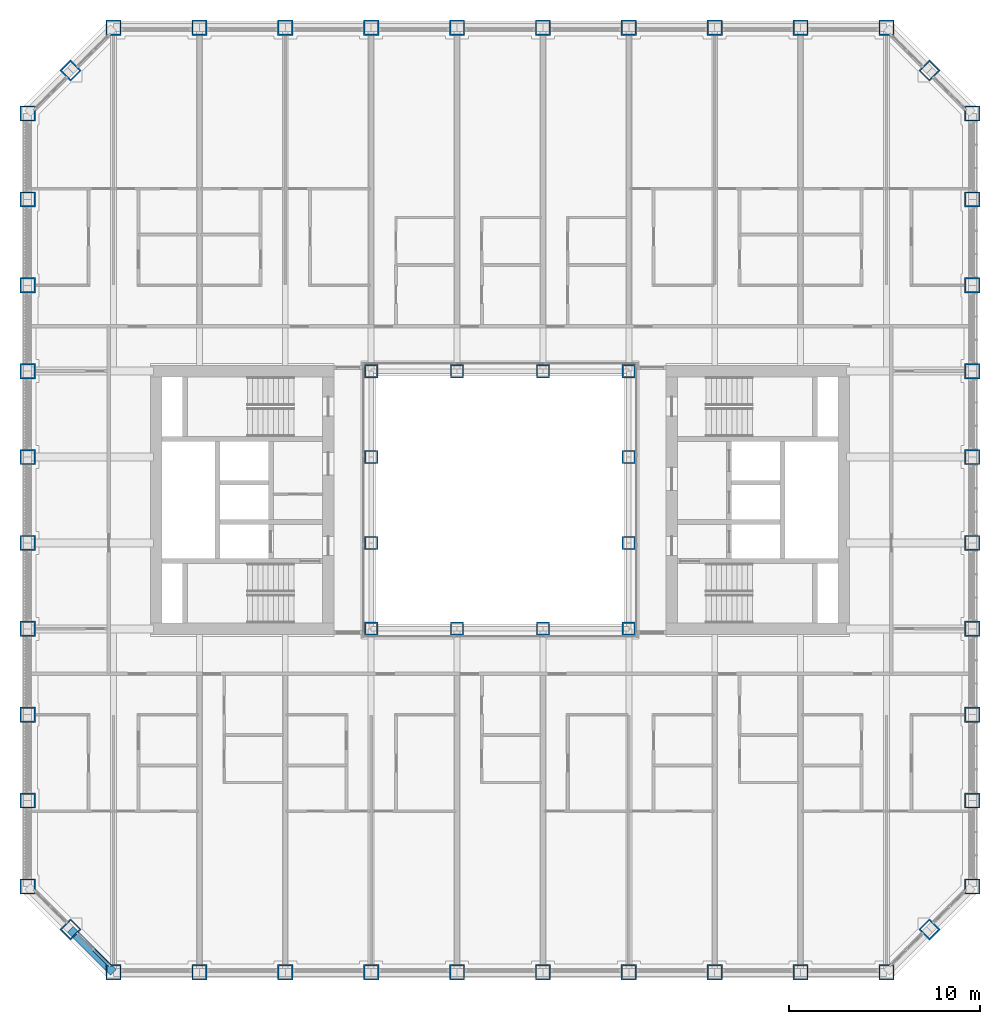
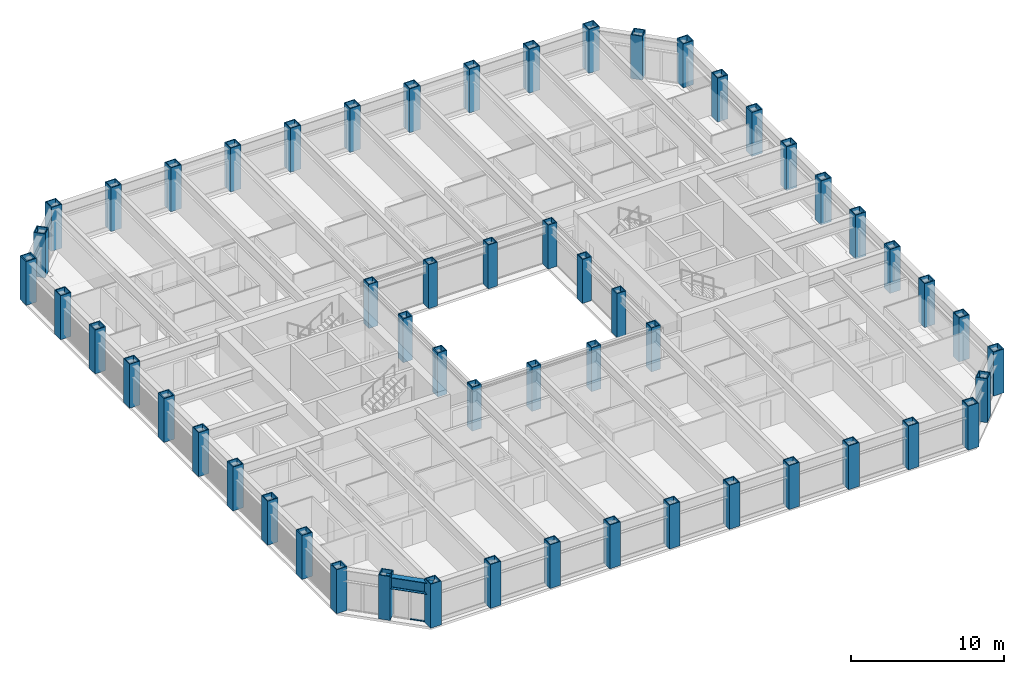
# One storey, part 1 of 21: 56 columns, 2 members, 1 beam, 1 element without a shape of its own.
"""IFC4 building model written with IfcOpenShell, lengths in metres."""

from ifc_helpers import new_model, si_unit, direction, frame, origin, origin_2d, place, context, subcontext, project, spatial, rectangle, hollow_rectangle, i_section, extrude, material, material_profile, profile_set, type_object, element, aggregate, save


model = new_model("IFC4")

# Units and contexts
model_context = context("Model", 3, precision=1e-05, world=origin(), true_north=direction((0.0, 1.0)))
body_context = subcontext(model_context, "Body", "Model", "MODEL_VIEW")
ifc_project = project(units=[si_unit("LENGTHUNIT", "METRE"), si_unit("AREAUNIT", "SQUARE_METRE"), si_unit("VOLUMEUNIT", "CUBIC_METRE"), si_unit("PLANEANGLEUNIT", "RADIAN"), si_unit("MASSUNIT", "GRAM", prefix="KILO")], contexts=[model_context])

# Site, building, storey
site_placement = place(None, origin())
site = spatial("IfcSite", under=ifc_project, at=site_placement, CompositionType="ELEMENT")
building_placement = place(site_placement, origin())
building = spatial("IfcBuilding", under=site, at=building_placement, Name="Msasa Ring Tower", CompositionType="ELEMENT")
storey_placement = place(building_placement, frame((0.0, 0.0, 37.0)))
storey = spatial("IfcBuildingStorey", under=building, at=storey_placement, Name="L08", CompositionType="ELEMENT", Elevation=37.0)

# Columns
ifc_material_1 = material(Name="Steel S355", Category="steel")
ifc_material_profile_1 = material_profile(ifc_material_1, hollow_rectangle(XDim=0.699951171875, YDim=0.699951171875, WallThickness=0.070068359375, at=origin_2d()), Name="BOX 700x700x70")
ifc_profile_set_1 = profile_set([ifc_material_profile_1], Name="Steel S355")
column_type_1 = type_object("IfcColumnType", Name="IC1 BOX 700x700x70", PredefinedType="COLUMN", material=ifc_profile_set_1)
for number, where, z_axis, x_axis, name in (
    (1, (-6.75, -6.75, 0.0), (0.0, 0.0, 1.0), (1.0, 0.0, 0.0), "Inner ring column IR-6.75-6.75 L08"),
    (2, (-6.75, -2.25, 0.0), (0.0, 0.0, 1.0), (1.0, 0.0, 0.0), "Inner ring column IR-6.75-2.25 L08"),
    (3, (-6.75, 2.25, 0.0), (0.0, 0.0, 1.0), (1.0, 0.0, 0.0), "Inner ring column IR-6.75+2.25 L08"),
    (4, (-6.75, 6.75, 0.0), (0.0, 0.0, 1.0), (1.0, 0.0, 0.0), "Inner ring column IR-6.75+6.75 L08"),
    (5, (-2.25, -6.75, 0.0), (0.0, 0.0, 1.0), (1.0, 0.0, 0.0), "Inner ring column IR-2.25-6.75 L08"),
    (6, (-2.25, 6.75, 0.0), (0.0, 0.0, 1.0), (1.0, 0.0, 0.0), "Inner ring column IR-2.25+6.75 L08"),
    (7, (2.25, -6.75, 0.0), (0.0, 0.0, 1.0), (1.0, 0.0, 0.0), "Inner ring column IR+2.25-6.75 L08"),
    (8, (2.25, 6.75, 0.0), (0.0, 0.0, 1.0), (1.0, 0.0, 0.0), "Inner ring column IR+2.25+6.75 L08"),
    (9, (6.75, -6.75, 0.0), (0.0, 0.0, 1.0), (1.0, 0.0, 0.0), "Inner ring column IR+6.75-6.75 L08"),
    (10, (6.75, -2.25, 0.0), (0.0, 0.0, 1.0), (1.0, 0.0, 0.0), "Inner ring column IR+6.75-2.25 L08"),
    (11, (6.75, 2.25, 0.0), (0.0, 0.0, 1.0), (1.0, 0.0, 0.0), "Inner ring column IR+6.75+2.25 L08"),
    (12, (6.75, 6.75, 0.0), (0.0, 0.0, 1.0), (1.0, 0.0, 0.0), "Inner ring column IR+6.75+6.75 L08"),
):
    element("IfcColumn", number, at=place(storey_placement, frame(where, z_axis=z_axis, x_axis=x_axis)), inside=storey, type_object=column_type_1, Name=name, PredefinedType="COLUMN", context=body_context, shape_type="SweptSolid", body=[
        extrude(hollow_rectangle(XDim=0.699951171875, YDim=0.699951171875, WallThickness=0.070068359375, at=origin_2d()), origin(), (0.0, 0.0, 1.0), 3.5),
    ])
ifc_material_2 = material(Name="Steel S355", Category="steel")
ifc_material_profile_2 = material_profile(ifc_material_2, hollow_rectangle(XDim=0.800048828125, YDim=0.800048828125, WallThickness=0.070068359375, at=origin_2d()), Name="BOX 800x800x70")
ifc_profile_set_2 = profile_set([ifc_material_profile_2], Name="Steel S355")
column_type_2 = type_object("IfcColumnType", Name="TC2 BOX 800x800x70", PredefinedType="COLUMN", material=ifc_profile_set_2)
for number, where, z_axis, x_axis, name in (
    (13, (-20.25, -24.75, 0.0), (0.0, 0.0, 1.0), (0.0, 1.0, 0.0), "Tube column S-20.25 L08"),
    (14, (-20.25, 24.75, 0.0), (0.0, 0.0, 1.0), (0.0, 1.0, 0.0), "Tube column N-20.25 L08"),
    (15, (24.75, -20.25, 0.0), (0.0, 0.0, 1.0), (1.0, 0.0, 0.0), "Tube column E-20.25 L08"),
    (16, (-24.75, -20.25, 0.0), (0.0, 0.0, 1.0), (1.0, 0.0, 0.0), "Tube column W-20.25 L08"),
    (17, (-15.75, -24.75, 0.0), (0.0, 0.0, 1.0), (0.0, 1.0, 0.0), "Tube column S-15.75 L08"),
    (18, (-15.75, 24.75, 0.0), (0.0, 0.0, 1.0), (0.0, 1.0, 0.0), "Tube column N-15.75 L08"),
    (19, (24.75, -15.75, 0.0), (0.0, 0.0, 1.0), (1.0, 0.0, 0.0), "Tube column E-15.75 L08"),
    (20, (-24.75, -15.75, 0.0), (0.0, 0.0, 1.0), (1.0, 0.0, 0.0), "Tube column W-15.75 L08"),
    (21, (-11.25, -24.75, 0.0), (0.0, 0.0, 1.0), (0.0, 1.0, 0.0), "Tube column S-11.25 L08"),
    (22, (-11.25, 24.75, 0.0), (0.0, 0.0, 1.0), (0.0, 1.0, 0.0), "Tube column N-11.25 L08"),
    (23, (24.75, -11.25, 0.0), (0.0, 0.0, 1.0), (1.0, 0.0, 0.0), "Tube column E-11.25 L08"),
    (24, (-24.75, -11.25, 0.0), (0.0, 0.0, 1.0), (1.0, 0.0, 0.0), "Tube column W-11.25 L08"),
    (25, (-6.75, -24.75, 0.0), (0.0, 0.0, 1.0), (0.0, 1.0, 0.0), "Tube column S-6.75 L08"),
    (26, (-6.75, 24.75, 0.0), (0.0, 0.0, 1.0), (0.0, 1.0, 0.0), "Tube column N-6.75 L08"),
    (27, (24.75, -6.75, 0.0), (0.0, 0.0, 1.0), (1.0, 0.0, 0.0), "Tube column E-6.75 L08"),
    (28, (-24.75, -6.75, 0.0), (0.0, 0.0, 1.0), (1.0, 0.0, 0.0), "Tube column W-6.75 L08"),
    (29, (-2.25, -24.75, 0.0), (0.0, 0.0, 1.0), (0.0, 1.0, 0.0), "Tube column S-2.25 L08"),
    (30, (-2.25, 24.75, 0.0), (0.0, 0.0, 1.0), (0.0, 1.0, 0.0), "Tube column N-2.25 L08"),
    (31, (24.75, -2.25, 0.0), (0.0, 0.0, 1.0), (1.0, 0.0, 0.0), "Tube column E-2.25 L08"),
    (32, (-24.75, -2.25, 0.0), (0.0, 0.0, 1.0), (1.0, 0.0, 0.0), "Tube column W-2.25 L08"),
    (33, (2.25, -24.75, 0.0), (0.0, 0.0, 1.0), (0.0, 1.0, 0.0), "Tube column S+2.25 L08"),
    (34, (2.25, 24.75, 0.0), (0.0, 0.0, 1.0), (0.0, 1.0, 0.0), "Tube column N+2.25 L08"),
    (35, (24.75, 2.25, 0.0), (0.0, 0.0, 1.0), (1.0, 0.0, 0.0), "Tube column E+2.25 L08"),
    (36, (-24.75, 2.25, 0.0), (0.0, 0.0, 1.0), (1.0, 0.0, 0.0), "Tube column W+2.25 L08"),
    (37, (6.75, -24.75, 0.0), (0.0, 0.0, 1.0), (0.0, 1.0, 0.0), "Tube column S+6.75 L08"),
    (38, (6.75, 24.75, 0.0), (0.0, 0.0, 1.0), (0.0, 1.0, 0.0), "Tube column N+6.75 L08"),
    (39, (24.75, 6.75, 0.0), (0.0, 0.0, 1.0), (1.0, 0.0, 0.0), "Tube column E+6.75 L08"),
    (40, (-24.75, 6.75, 0.0), (0.0, 0.0, 1.0), (1.0, 0.0, 0.0), "Tube column W+6.75 L08"),
    (41, (11.25, -24.75, 0.0), (0.0, 0.0, 1.0), (0.0, 1.0, 0.0), "Tube column S+11.25 L08"),
    (42, (11.25, 24.75, 0.0), (0.0, 0.0, 1.0), (0.0, 1.0, 0.0), "Tube column N+11.25 L08"),
    (43, (24.75, 11.25, 0.0), (0.0, 0.0, 1.0), (1.0, 0.0, 0.0), "Tube column E+11.25 L08"),
    (44, (-24.75, 11.25, 0.0), (0.0, 0.0, 1.0), (1.0, 0.0, 0.0), "Tube column W+11.25 L08"),
    (45, (15.75, -24.75, 0.0), (0.0, 0.0, 1.0), (0.0, 1.0, 0.0), "Tube column S+15.75 L08"),
    (46, (15.75, 24.75, 0.0), (0.0, 0.0, 1.0), (0.0, 1.0, 0.0), "Tube column N+15.75 L08"),
    (47, (24.75, 15.75, 0.0), (0.0, 0.0, 1.0), (1.0, 0.0, 0.0), "Tube column E+15.75 L08"),
    (48, (-24.75, 15.75, 0.0), (0.0, 0.0, 1.0), (1.0, 0.0, 0.0), "Tube column W+15.75 L08"),
    (49, (20.25, -24.75, 0.0), (0.0, 0.0, 1.0), (0.0, 1.0, 0.0), "Tube column S+20.25 L08"),
    (50, (20.25, 24.75, 0.0), (0.0, 0.0, 1.0), (0.0, 1.0, 0.0), "Tube column N+20.25 L08"),
    (51, (24.75, 20.25, 0.0), (0.0, 0.0, 1.0), (1.0, 0.0, 0.0), "Tube column E+20.25 L08"),
    (52, (-24.75, 20.25, 0.0), (0.0, 0.0, 1.0), (1.0, 0.0, 0.0), "Tube column W+20.25 L08"),
    (53, (22.5, -22.5, 0.0), (0.0, 0.0, 1.0), (0.707106781187, -0.707106781187, 0.0), "Tube column SE L08"),
    (54, (22.5, 22.5, 0.0), (0.0, 0.0, 1.0), (0.707106781187, 0.707106781187, 0.0), "Tube column NE L08"),
    (55, (-22.5, 22.5, 0.0), (0.0, 0.0, 1.0), (0.707106781187, -0.707106781187, 0.0), "Tube column NW L08"),
    (56, (-22.5, -22.5, 0.0), (0.0, 0.0, 1.0), (0.707106781187, 0.707106781187, 0.0), "Tube column SW L08"),
):
    element("IfcColumn", number, at=place(storey_placement, frame(where, z_axis=z_axis, x_axis=x_axis)), inside=storey, type_object=column_type_2, Name=name, PredefinedType="COLUMN", context=body_context, shape_type="SweptSolid", body=[
        extrude(hollow_rectangle(XDim=0.800048828125, YDim=0.800048828125, WallThickness=0.070068359375, at=origin_2d()), origin(), (0.0, 0.0, 1.0), 3.5),
    ])

# Curtain wall, members
ifc_material_3 = material(Name="Aluminium curtain wall with clear glass", Category="aluminium")
curtain_wall_type = type_object("IfcCurtainWallType", Name="CW-C CHAMFER CORNER CURTAIN WALL", PredefinedType="NOTDEFINED", material=ifc_material_3)
curtain_wall_placement = place(storey_placement, origin())
curtain_wall = element("IfcCurtainWall", 57, at=curtain_wall_placement, inside=storey, type_object=curtain_wall_type, Name="Chamfer corner curtain wall SW L08", PredefinedType="NOTDEFINED")
ifc_material_4 = material(Name="Aluminium transom", Category="aluminium")
ifc_material_profile_3 = material_profile(ifc_material_4, rectangle(XDim=0.139892578125, YDim=0.06494140625, at=origin_2d()), Name="AL 65x140")
ifc_profile_set_3 = profile_set([ifc_material_profile_3], Name="Aluminium transom")
member_type = type_object("IfcMemberType", Name="CW-C TRANSOM 65x140", PredefinedType="USERDEFINED", material=ifc_profile_set_3)
member_1_placement = place(storey_placement, frame((-21.28125, -23.577392578125, 0.032470703125), z_axis=(0.707106781187, -0.707106781187, 0.0), x_axis=(0.707106781187, 0.707106781187, 0.0)))
member_1 = element("IfcMember", 58, at=member_1_placement, type_object=member_type, Name="CW-C transom 2.1", ObjectType="TRANSOM", PredefinedType="USERDEFINED", context=body_context, shape_type="SweptSolid", body=[
    extrude(rectangle(XDim=0.139892578125, YDim=0.06494140625, at=origin_2d()), origin(), (0.0, 0.0, 1.0), 1.08837890625),
])
member_2_placement = place(storey_placement, frame((-21.28125, -23.577392578125, 2.346435546875), z_axis=(0.707106781187, -0.707106781187, 0.0), x_axis=(0.707106781187, 0.707106781187, 0.0)))
member_2 = element("IfcMember", 59, at=member_2_placement, type_object=member_type, Name="CW-C transom 2.2", ObjectType="TRANSOM", PredefinedType="USERDEFINED", context=body_context, shape_type="SweptSolid", body=[
    extrude(rectangle(XDim=0.139892578125, YDim=0.06494140625, at=origin_2d()), origin(), (0.0, 0.0, 1.0), 1.08837890625),
])
aggregate(curtain_wall, [member_1, member_2])

# Beam
ifc_material_5 = material(Name="Steel S355", Category="steel")
ifc_material_profile_4 = material_profile(ifc_material_5, i_section(OverallWidth=0.42041015625, OverallDepth=0.9208984375, WebThickness=0.021484375, FlangeThickness=0.03662109375, FilletRadius=0.024169921875, at=origin_2d()), Name="UB 914x419x388")
ifc_profile_set_4 = profile_set([ifc_material_profile_4], Name="Steel S355")
beam_type = type_object("IfcBeamType", Name="SB1 UB 914x419x388", PredefinedType="SPANDREL", material=ifc_profile_set_4)
beam_placement = place(storey_placement, frame((-22.5, -22.5, 2.839599609375), z_axis=(0.707106781187, -0.707106781187, 0.0), x_axis=(0.707106781187, 0.707106781187, 0.0)))
element("IfcBeam", 60, at=beam_placement, inside=storey, type_object=beam_type, Name="Spandrel SW to S-20.25 under L09", PredefinedType="SPANDREL", context=body_context, shape_type="SweptSolid", body=[
    extrude(i_section(OverallWidth=0.42041015625, OverallDepth=0.9208984375, WebThickness=0.021484375, FlangeThickness=0.03662109375, FilletRadius=0.024169921875, at=origin_2d()), origin(), (0.0, 0.0, 1.0), 3.181884765625),
])

save(model, "model.ifc")
